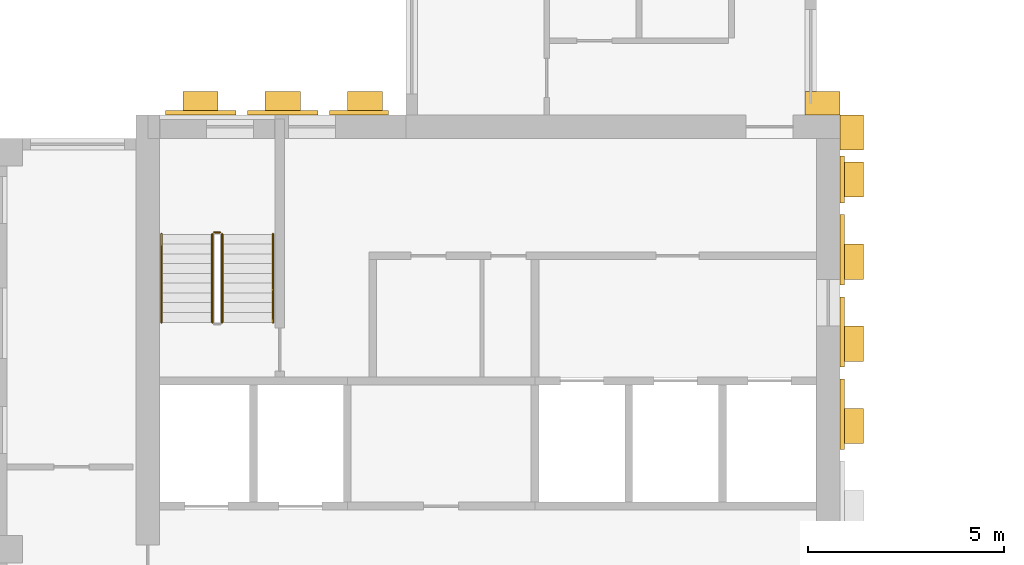
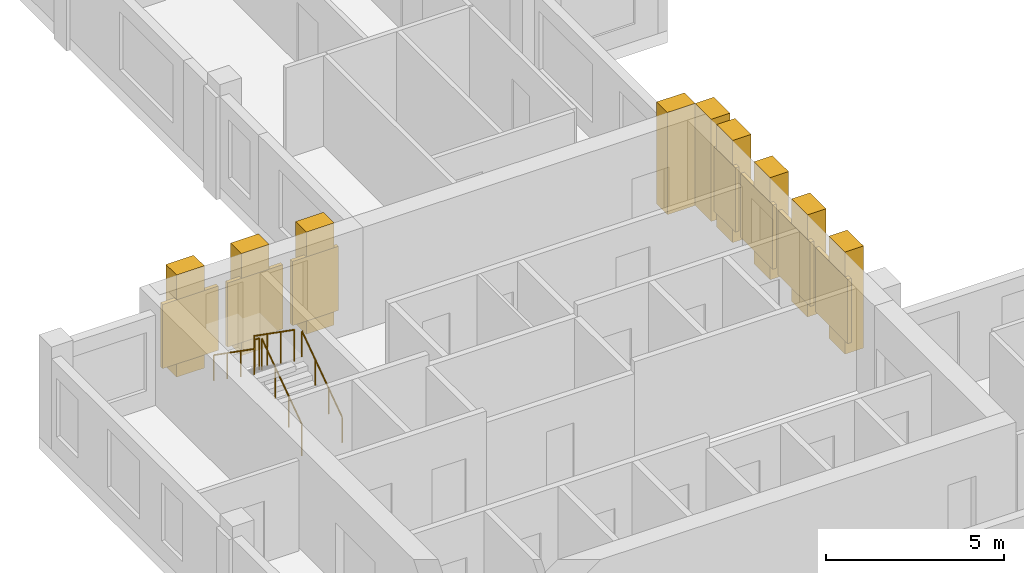
# One storey, part 8 of 10: 16 coverings, 5 railings.
"""IFC4 building model written with IfcOpenShell, lengths in metres."""

from ifc_helpers import new_model, si_unit, direction, frame, origin, origin_2d, place, context, subcontext, project, spatial, rectangle, circle, extrude, source, transform, mapped, material, type_object, element, save


model = new_model("IFC4")

# Units and contexts
model_context = context("Model", 3, precision=1e-05, world=origin(), true_north=direction((0.0, 1.0)))
body_context = subcontext(model_context, "Body", "Model", "MODEL_VIEW")
ifc_project = project(units=[si_unit("LENGTHUNIT", "METRE"), si_unit("AREAUNIT", "SQUARE_METRE"), si_unit("VOLUMEUNIT", "CUBIC_METRE"), si_unit("PLANEANGLEUNIT", "RADIAN"), si_unit("MASSUNIT", "GRAM", prefix="KILO")], contexts=[model_context])

# Site, building, storey
site_placement = place(None, origin())
site = spatial("IfcSite", under=ifc_project, at=site_placement, CompositionType="ELEMENT")
building_placement = place(site_placement, origin())
building = spatial("IfcBuilding", under=site, at=building_placement, Name="Aurelian Terraces", CompositionType="ELEMENT")
storey_placement = place(building_placement, frame((0.0, 0.0, 288.0)))
storey = spatial("IfcBuildingStorey", under=building, at=storey_placement, Name="L65", CompositionType="ELEMENT", Elevation=288.0)

# Coverings
ifc_material_1 = material(Name="Terracotta rainscreen cladding louvre blades", Category="masonry")
covering_type_1 = type_object("IfcCoveringType", Name="LOUVRE-TC", PredefinedType="CLADDING", material=ifc_material_1)
shared_shape_1 = source(origin(), body_context, "Body", "SweptSolid", [
    extrude(rectangle(XDim=0.12, YDim=1.8, at=origin_2d()), origin(), (0.0, 0.0, 1.0), 2.2),
])
for number, where, z_axis, x_axis, name in (
    (1, (21.66, 13.95, 0.45), (0.0, 0.0, 1.0), (1.0, 0.0, 0.0), "LOUVRE L65 core face E.2"),
    (2, (21.66, 16.05, 0.45), (0.0, 0.0, 1.0), (1.0, 0.0, 0.0), "LOUVRE L65 core face E.3"),
    (3, (21.66, 18.15, 0.45), (0.0, 0.0, 1.0), (1.0, 0.0, 0.0), "LOUVRE L65 core face E.4"),
):
    element("IfcCovering", number, at=place(storey_placement, frame(where, z_axis=z_axis, x_axis=x_axis)), inside=storey, type_object=covering_type_1, Name=name, PredefinedType="CLADDING", context=body_context, shape_type="MappedRepresentation", body=[
        mapped(shared_shape_1, transform((0.0, 0.0, 0.0), scale=1.0)),
    ])
shared_shape_2 = source(origin(), body_context, "Body", "SweptSolid", [
    extrude(rectangle(XDim=1.8, YDim=0.12, at=origin_2d()), origin(), (0.0, 0.0, 1.0), 2.2),
])
for number, where, z_axis, x_axis, name in (
    (4, (5.25, 21.66, 0.45), (0.0, 0.0, 1.0), (1.0, 0.0, 0.0), "LOUVRE L65 core face N.1"),
    (5, (7.35, 21.66, 0.45), (0.0, 0.0, 1.0), (1.0, 0.0, 0.0), "LOUVRE L65 core face N.2"),
):
    element("IfcCovering", number, at=place(storey_placement, frame(where, z_axis=z_axis, x_axis=x_axis)), inside=storey, type_object=covering_type_1, Name=name, PredefinedType="CLADDING", context=body_context, shape_type="MappedRepresentation", body=[
        mapped(shared_shape_2, transform((0.0, 0.0, 0.0), scale=1.0)),
    ])
shared_shape_3 = source(origin(), body_context, "Body", "SweptSolid", [
    extrude(rectangle(XDim=0.12, YDim=1.2, at=origin_2d()), origin(), (0.0, 0.0, 1.0), 2.2),
])
covering_1_placement = place(storey_placement, frame((21.66, 19.95, 0.45), z_axis=(0.0, 0.0, 1.0), x_axis=(1.0, 0.0, 0.0)))
element("IfcCovering", 6, at=covering_1_placement, inside=storey, type_object=covering_type_1, Name="LOUVRE L65 core face E.5", PredefinedType="CLADDING", context=body_context, shape_type="MappedRepresentation", body=[
    mapped(shared_shape_3, transform((0.0, 0.0, 0.0), scale=1.0)),
])
shared_shape_4 = source(origin(), body_context, "Body", "SweptSolid", [
    extrude(rectangle(XDim=1.5, YDim=0.12, at=origin_2d()), origin(), (0.0, 0.0, 1.0), 2.2),
])
covering_2_placement = place(storey_placement, frame((9.3, 21.66, 0.45), z_axis=(0.0, 0.0, 1.0), x_axis=(1.0, 0.0, 0.0)))
element("IfcCovering", 7, at=covering_2_placement, inside=storey, type_object=covering_type_1, Name="LOUVRE L65 core face N.3", PredefinedType="CLADDING", context=body_context, shape_type="MappedRepresentation", body=[
    mapped(shared_shape_4, transform((0.0, 0.0, 0.0), scale=1.0)),
])

# Railings
ifc_material_2 = material(Name="Stainless steel", Category="steel")
railing_type_1 = type_object("IfcRailingType", Name="Stair guard 1100", PredefinedType="GUARDRAIL", material=ifc_material_2)
shared_shape_5 = source(origin(), body_context, "Body", "SweptSolid", [
    extrude(circle(Radius=0.024, at=origin_2d()), frame((0.0, 0.0, 1.076), z_axis=(-1.0, 0.0, 0.0), x_axis=(0.0, -1.0, 0.0)), (0.0, 0.0, 1.0), 0.15),
    extrude(circle(Radius=0.021, at=origin_2d()), origin(), (0.0, 0.0, 1.0), 1.052),
    extrude(circle(Radius=0.021, at=origin_2d()), frame((-0.15, 0.0, 0.0)), (0.0, 0.0, 1.0), 1.052),
])
railing_1_placement = place(storey_placement, frame((5.75, 18.6, 1.75)))
element("IfcRailing", 8, at=railing_1_placement, inside=storey, type_object=railing_type_1, Name="L65 S1 stair guard 2", PredefinedType="GUARDRAIL", context=body_context, shape_type="MappedRepresentation", body=[
    mapped(shared_shape_5, transform((0.0, 0.0, 0.0), scale=1.0)),
])
shared_shape_6 = source(origin(), body_context, "Body", "SweptSolid", [
    extrude(circle(Radius=0.024, at=origin_2d()), frame((0.0, 0.0, 1.076), z_axis=(0.0, 0.819231920519, 0.573462344363), x_axis=(-1.0, 0.0, 0.0)), (0.0, 0.0, 1.0), 2.7465),
    extrude(circle(Radius=0.021, at=origin_2d()), origin(), (0.0, 0.0, 1.0), 1.052),
    extrude(circle(Radius=0.021, at=origin_2d()), frame((0.0, 0.75, 0.525)), (0.0, 0.0, 1.0), 1.052),
    extrude(circle(Radius=0.021, at=origin_2d()), frame((0.0, 1.5, 1.05)), (0.0, 0.0, 1.0), 1.052),
    extrude(circle(Radius=0.021, at=origin_2d()), frame((0.0, 2.25, 1.575)), (0.0, 0.0, 1.0), 1.052),
])
railing_2_placement = place(storey_placement, frame((5.8, 16.3, 0.175)))
element("IfcRailing", 9, at=railing_2_placement, inside=storey, type_object=railing_type_1, Name="L65 S1 stair guard 1", PredefinedType="GUARDRAIL", context=body_context, shape_type="MappedRepresentation", body=[
    mapped(shared_shape_6, transform((0.0, 0.0, 0.0), scale=1.0)),
])
shared_shape_7 = source(origin(), body_context, "Body", "SweptSolid", [
    extrude(circle(Radius=0.024, at=origin_2d()), frame((0.0, 0.0, 1.076), z_axis=(0.0, -0.819231920519, 0.573462344363), x_axis=(1.0, 0.0, 0.0)), (0.0, 0.0, 1.0), 2.7465),
    extrude(circle(Radius=0.021, at=origin_2d()), origin(), (0.0, 0.0, 1.0), 1.052),
    extrude(circle(Radius=0.021, at=origin_2d()), frame((0.0, -0.75, 0.525)), (0.0, 0.0, 1.0), 1.052),
    extrude(circle(Radius=0.021, at=origin_2d()), frame((0.0, -1.5, 1.05)), (0.0, 0.0, 1.0), 1.052),
    extrude(circle(Radius=0.021, at=origin_2d()), frame((0.0, -2.25, 1.575)), (0.0, 0.0, 1.0), 1.052),
])
railing_3_placement = place(storey_placement, frame((5.55, 18.55, 1.925)))
element("IfcRailing", 10, at=railing_3_placement, inside=storey, type_object=railing_type_1, Name="L65 S1 stair guard 3", PredefinedType="GUARDRAIL", context=body_context, shape_type="MappedRepresentation", body=[
    mapped(shared_shape_7, transform((0.0, 0.0, 0.0), scale=1.0)),
])
railing_type_2 = type_object("IfcRailingType", Name="Stair handrail", PredefinedType="HANDRAIL", material=ifc_material_2)
shared_shape_8 = source(origin(), body_context, "Body", "SweptSolid", [
    extrude(circle(Radius=0.024, at=origin_2d()), frame((0.0, 0.0, 0.876), z_axis=(0.0, 0.819231920519, 0.573462344363), x_axis=(-1.0, 0.0, 0.0)), (0.0, 0.0, 1.0), 2.7465),
    extrude(circle(Radius=0.021, at=origin_2d()), origin(), (0.0, 0.0, 1.0), 0.852),
    extrude(circle(Radius=0.021, at=origin_2d()), frame((0.0, 0.75, 0.525)), (0.0, 0.0, 1.0), 0.852),
    extrude(circle(Radius=0.021, at=origin_2d()), frame((0.0, 1.5, 1.05)), (0.0, 0.0, 1.0), 0.852),
    extrude(circle(Radius=0.021, at=origin_2d()), frame((0.0, 2.25, 1.575)), (0.0, 0.0, 1.0), 0.852),
])
railing_4_placement = place(storey_placement, frame((7.1, 16.3, 0.175)))
element("IfcRailing", 11, at=railing_4_placement, inside=storey, type_object=railing_type_2, Name="L65 S1 stair handrail 1", PredefinedType="HANDRAIL", context=body_context, shape_type="MappedRepresentation", body=[
    mapped(shared_shape_8, transform((0.0, 0.0, 0.0), scale=1.0)),
])
shared_shape_9 = source(origin(), body_context, "Body", "SweptSolid", [
    extrude(circle(Radius=0.024, at=origin_2d()), frame((0.0, 0.0, 0.876), z_axis=(0.0, -0.819231920519, 0.573462344363), x_axis=(1.0, 0.0, 0.0)), (0.0, 0.0, 1.0), 2.7465),
    extrude(circle(Radius=0.021, at=origin_2d()), origin(), (0.0, 0.0, 1.0), 0.852),
    extrude(circle(Radius=0.021, at=origin_2d()), frame((0.0, -0.75, 0.525)), (0.0, 0.0, 1.0), 0.852),
    extrude(circle(Radius=0.021, at=origin_2d()), frame((0.0, -1.5, 1.05)), (0.0, 0.0, 1.0), 0.852),
    extrude(circle(Radius=0.021, at=origin_2d()), frame((0.0, -2.25, 1.575)), (0.0, 0.0, 1.0), 0.852),
])
railing_5_placement = place(storey_placement, frame((4.25, 18.55, 1.925)))
element("IfcRailing", 12, at=railing_5_placement, inside=storey, type_object=railing_type_2, Name="L65 S1 stair handrail 2", PredefinedType="HANDRAIL", context=body_context, shape_type="MappedRepresentation", body=[
    mapped(shared_shape_9, transform((0.0, 0.0, 0.0), scale=1.0)),
])

# Coverings
ifc_material_3 = material(Name="Terracotta rainscreen cladding relief", Category="masonry")
covering_type_2 = type_object("IfcCoveringType", Name="Core spine pier 900x600", PredefinedType="CLADDING", material=ifc_material_3)
shared_shape_10 = source(origin(), body_context, "Body", "SweptSolid", [
    extrude(rectangle(XDim=0.6, YDim=0.9, at=origin_2d()), origin(), (0.0, 0.0, 1.0), 3.5),
])
for number, where, z_axis, x_axis, name in (
    (13, (21.9, 13.65, 0.0), (0.0, 0.0, 1.0), (1.0, 0.0, 0.0), "Spine pier L65 E2"),
    (14, (21.9, 15.75, 0.0), (0.0, 0.0, 1.0), (1.0, 0.0, 0.0), "Spine pier L65 E3"),
    (15, (21.9, 17.85, 0.0), (0.0, 0.0, 1.0), (1.0, 0.0, 0.0), "Spine pier L65 E4"),
    (16, (21.9, 19.95, 0.0), (0.0, 0.0, 1.0), (1.0, 0.0, 0.0), "Spine pier L65 E5"),
    (17, (21.9, 21.15, 0.0), (0.0, 0.0, 1.0), (1.0, 0.0, 0.0), "Spine pier L65 corner east"),
):
    element("IfcCovering", number, at=place(storey_placement, frame(where, z_axis=z_axis, x_axis=x_axis)), inside=storey, type_object=covering_type_2, Name=name, PredefinedType="CLADDING", context=body_context, shape_type="MappedRepresentation", body=[
        mapped(shared_shape_10, transform((0.0, 0.0, 0.0), scale=1.0)),
    ])
shared_shape_11 = source(origin(), body_context, "Body", "SweptSolid", [
    extrude(rectangle(XDim=0.9, YDim=0.6, at=origin_2d()), origin(), (0.0, 0.0, 1.0), 3.5),
])
for number, where, z_axis, x_axis, name in (
    (18, (5.25, 21.9, 0.0), (0.0, 0.0, 1.0), (1.0, 0.0, 0.0), "Spine pier L65 N6"),
    (19, (7.35, 21.9, 0.0), (0.0, 0.0, 1.0), (1.0, 0.0, 0.0), "Spine pier L65 N7"),
    (20, (9.45, 21.9, 0.0), (0.0, 0.0, 1.0), (1.0, 0.0, 0.0), "Spine pier L65 N8"),
    (21, (21.15, 21.9, 0.0), (0.0, 0.0, 1.0), (1.0, 0.0, 0.0), "Spine pier L65 corner north"),
):
    element("IfcCovering", number, at=place(storey_placement, frame(where, z_axis=z_axis, x_axis=x_axis)), inside=storey, type_object=covering_type_2, Name=name, PredefinedType="CLADDING", context=body_context, shape_type="MappedRepresentation", body=[
        mapped(shared_shape_11, transform((0.0, 0.0, 0.0), scale=1.0)),
    ])

save(model, "model.ifc")
